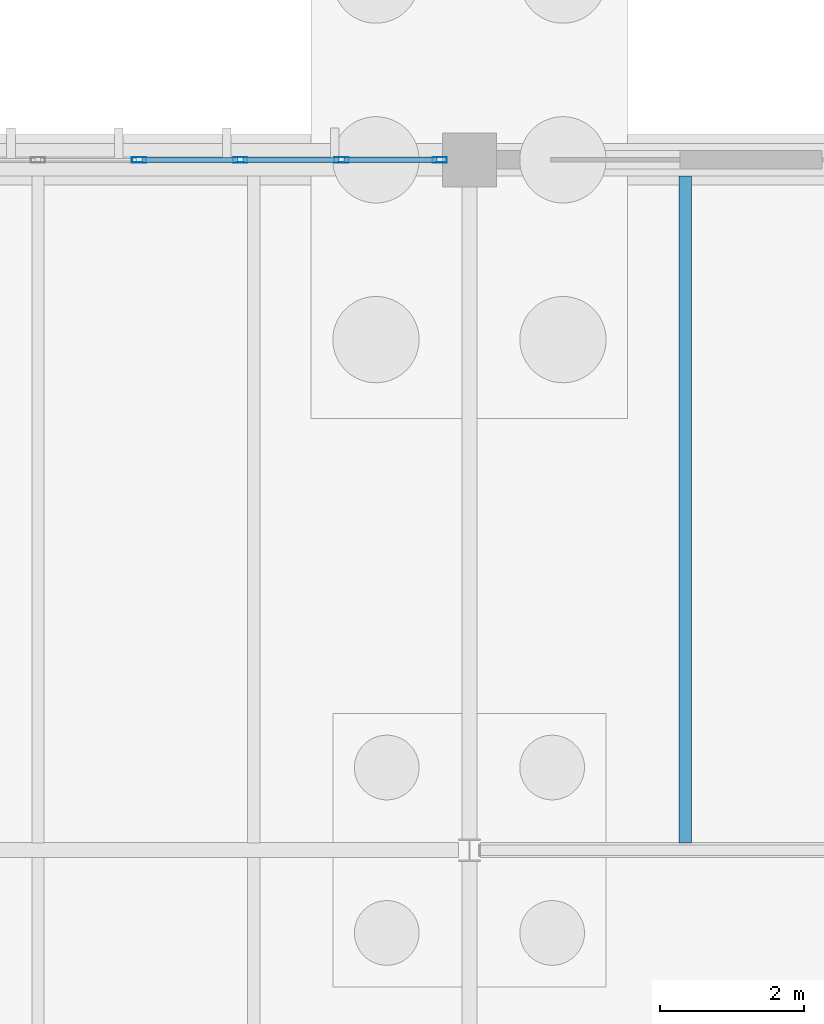
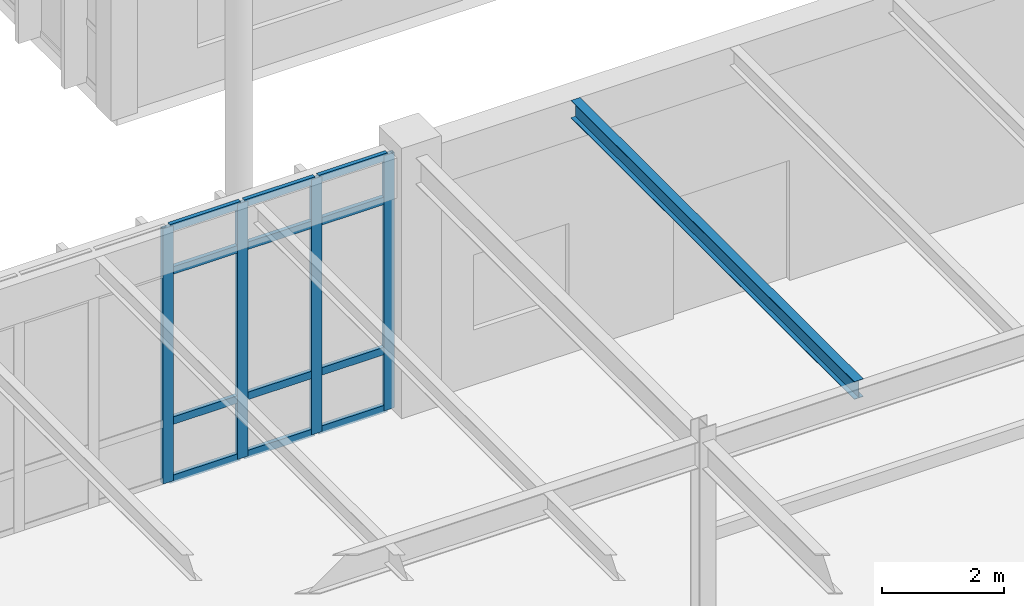
# One storey, part 73 of 188: 16 members, 1 beam, 1 element without a shape of its own.
"""IFC4 building model written with IfcOpenShell, lengths in metres."""

import ifcopenshell
import ifcopenshell.guid

model = None  # the IFC model being written
_history = None  # IfcOwnerHistory: only IFC2X3 demands one
_inside = {}  # id of a spatial element -> (the spatial element, [elements in it])
_under = {}  # id of a project, library or spatial element -> (it, [spatial elements below it])
_declared = {}  # id of a project -> (the project, [libraries it declares])
_typed = {}  # id of a type object -> (the type object, [elements of that type])
_made_of = {}  # id of a material, layer set ... -> (it, [elements and type objects made of it])


def new_model(schema):
    """Start an empty IFC model of exactly this schema.

    Asked for "IFC4X3", IfcOpenShell would pick the latest addendum, in which some entities
    have other attributes; the version numbers below select the first issue.
    IFC2X3 requires an IfcOwnerHistory on every rooted entity: one is made here for all.
    """
    global model, _history
    if schema == "IFC4X3":
        model = ifcopenshell.file(schema_version=(4, 3, 0, 0))
    else:
        model = ifcopenshell.file(schema=schema)
    _inside.clear()
    _under.clear()
    _declared.clear()
    _typed.clear()
    _made_of.clear()
    _history = None
    if model.schema == "IFC2X3":
        org = make("IfcOrganization", Name="unknown")
        user = make(
            "IfcPersonAndOrganization",
            ThePerson=make("IfcPerson", FamilyName="unknown"),
            TheOrganization=org,
        )
        app = make(
            "IfcApplication",
            ApplicationDeveloper=org,
            Version="unknown",
            ApplicationFullName="unknown",
            ApplicationIdentifier="unknown",
        )
        _history = make(
            "IfcOwnerHistory",
            OwningUser=user,
            OwningApplication=app,
            ChangeAction="ADDED",
            CreationDate=0,
        )
    return model


def make(cls, **values):
    """One entity of the class cls with the attributes given. An attribute that is None is left unset."""
    return model.create_entity(
        cls, **{name: value for name, value in values.items() if value is not None}
    )


def rooted(cls, **values):
    """An entity with a GlobalId (a new one), such as an element, a storey or a relation."""
    return make(cls, GlobalId=ifcopenshell.guid.new(), OwnerHistory=_history, **values)


def si_unit(unit_type, name, prefix=None):
    """IfcSIUnit, for example si_unit("LENGTHUNIT", "METRE", prefix="MILLI")."""
    return make("IfcSIUnit", UnitType=unit_type, Prefix=prefix, Name=name)


def assignment(units):
    """IfcUnitAssignment: the units of a project."""
    return None if units is None else make("IfcUnitAssignment", Units=units)


def point(xyz):
    """IfcCartesianPoint."""
    return None if xyz is None else make("IfcCartesianPoint", Coordinates=xyz)


def direction(xyz):
    """IfcDirection."""
    return None if xyz is None else make("IfcDirection", DirectionRatios=xyz)


def frame(location, z_axis=None, x_axis=None):
    """IfcAxis2Placement3D, a coordinate frame: its origin and axes. An axis left out is left unset."""
    return make(
        "IfcAxis2Placement3D",
        Location=point(location),
        Axis=direction(z_axis),
        RefDirection=direction(x_axis),
    )


def frame_2d(location, x_axis=None):
    """IfcAxis2Placement2D, a coordinate frame in the plane: its origin and x axis."""
    return make(
        "IfcAxis2Placement2D", Location=point(location), RefDirection=direction(x_axis)
    )


def origin():
    """The frame at (0, 0, 0) with its axes left unset."""
    return frame((0.0, 0.0, 0.0))


def origin_2d():
    """The frame at (0, 0) in the plane with its x axis left unset."""
    return frame_2d((0.0, 0.0))


def place(relative_to, where):
    """IfcLocalPlacement: puts the frame where relative to a parent placement (None: the world)."""
    return make(
        "IfcLocalPlacement", PlacementRelTo=relative_to, RelativePlacement=where
    )


def context(
    kind, dimensions, precision=None, world=None, true_north=None, identifier=None
):
    """IfcGeometricRepresentationContext, for example the 3D "Model" context."""
    return make(
        "IfcGeometricRepresentationContext",
        ContextIdentifier=identifier,
        ContextType=kind,
        CoordinateSpaceDimension=dimensions,
        Precision=precision,
        WorldCoordinateSystem=world,
        TrueNorth=true_north,
    )


def subcontext(parent, identifier, kind, view, scale=None):
    """IfcGeometricRepresentationSubContext, for example "Body" below "Model"."""
    return make(
        "IfcGeometricRepresentationSubContext",
        ContextIdentifier=identifier,
        ContextType=kind,
        ParentContext=parent,
        TargetScale=scale,
        TargetView=view,
    )


def project(units=None, contexts=None):
    """IfcProject with its units and contexts."""
    return rooted(
        "IfcProject",
        Name="project",
        RepresentationContexts=contexts,
        UnitsInContext=assignment(units),
    )


def spatial(cls, under=None, at=None, **own):
    """A site, building, storey or space (cls), placed at a placement, below another one or the project."""
    s = rooted(cls, ObjectPlacement=at, **own)
    if under is not None:
        _under.setdefault(under.id(), (under, []))[1].append(s)
    return s


def profile(cls, at=None, kind="AREA", **sizes):
    """A parametric profile (cls). Its sizes go by their IFC names, for example OverallWidth=200.0."""
    return make(cls, ProfileType=kind, Position=at, **sizes)


def hollow_rectangle(**sizes):
    """IfcRectangleHollowProfileDef."""
    return profile("IfcRectangleHollowProfileDef", **sizes)


def i_section(**sizes):
    """IfcIShapeProfileDef."""
    return profile("IfcIShapeProfileDef", **sizes)


def extrude(swept, where, along, depth):
    """IfcExtrudedAreaSolid: the profile swept, set in the frame where, extruded along a direction by depth."""
    return make(
        "IfcExtrudedAreaSolid",
        SweptArea=swept,
        Position=where,
        ExtrudedDirection=direction(along),
        Depth=depth,
    )


def shape(context_of_items, identifier, shape_type, items):
    """IfcShapeRepresentation: the items that make up one representation, for example the "Body"."""
    return make(
        "IfcShapeRepresentation",
        ContextOfItems=context_of_items,
        RepresentationIdentifier=identifier,
        RepresentationType=shape_type,
        Items=items,
    )


def material(Name=None, Category=None):
    """IfcMaterial."""
    return make("IfcMaterial", Name=Name, Category=Category)


def layer(
    of_material, thickness, ventilated=None, Name=None, Category=None, Priority=None
):
    """IfcMaterialLayer: one layer of a wall or slab, of a material (None: an air gap)."""
    return make(
        "IfcMaterialLayer",
        Material=of_material,
        LayerThickness=thickness,
        IsVentilated=ventilated,
        Name=Name,
        Category=Category,
        Priority=Priority,
    )


def layer_set(layers, Name=None):
    """IfcMaterialLayerSet."""
    return make("IfcMaterialLayerSet", MaterialLayers=layers, LayerSetName=Name)


def material_profile(
    of_material, cross_section, Name=None, Category=None, Priority=None
):
    """IfcMaterialProfile: a cross section and its material."""
    return make(
        "IfcMaterialProfile",
        Name=Name,
        Material=of_material,
        Profile=cross_section,
        Priority=Priority,
        Category=Category,
    )


def profile_set(profiles, Name=None, composite=None):
    """IfcMaterialProfileSet."""
    return make(
        "IfcMaterialProfileSet",
        Name=Name,
        MaterialProfiles=profiles,
        CompositeProfile=composite,
    )


def made_of(thing, what):
    """Note that an element or type object is made of a material, layer set ...; save() writes the relation."""
    if what is not None:
        _made_of.setdefault(what.id(), (what, []))[1].append(thing)
    return thing


def type_object(cls, material=None, **own):
    """A type object (cls), such as IfcWallType, which elements share."""
    return made_of(rooted(cls, **own), material)


def element(
    cls,
    number,
    at=None,
    inside=None,
    cuts=None,
    type_object=None,
    material=None,
    context=None,
    identifier="Body",
    shape_type=None,
    held_by="IfcProductDefinitionShape",
    body=None,
    shapes=None,
    **own,
):
    """One element of the class cls, such as IfcWall. Its Tag is "e" and its number.

    at: its placement. inside: the storey or other place that contains it. cuts: it is an
    opening in that element (IfcRelVoidsElement). A single representation is given by context,
    identifier, shape_type and body (its items); several are given by shapes. held_by: the class
    of the entity that holds the representations. save() writes the other relations.
    """
    e = rooted(cls, Tag="e%d" % number, ObjectPlacement=at, **own)
    if body is not None:
        shapes = [shape(context, identifier, shape_type, body)]
    if shapes is not None:
        e.Representation = make(held_by, Representations=shapes)
    if inside is not None:
        _inside.setdefault(inside.id(), (inside, []))[1].append(e)
    if cuts is not None:
        rooted(
            "IfcRelVoidsElement", RelatingBuildingElement=cuts, RelatedOpeningElement=e
        )
    if type_object is not None:
        _typed.setdefault(type_object.id(), (type_object, []))[1].append(e)
    return made_of(e, material)


def aggregate(whole, parts):
    """IfcRelAggregates: a whole, such as a stair, and the parts it consists of."""
    return rooted("IfcRelAggregates", RelatingObject=whole, RelatedObjects=parts)


def save(model, path):
    """Write the relations noted so far, then the file.

    IfcRelAggregates (storeys below a building ...), IfcRelContainedInSpatialStructure (elements
    in a storey), IfcRelDefinesByType, IfcRelAssociatesMaterial and IfcRelDeclares: one each for
    every whole, place, type object, material and project.
    """
    for whole, parts in _under.values():
        aggregate(whole, parts)
    for where, things in _inside.values():
        rooted(
            "IfcRelContainedInSpatialStructure",
            RelatedElements=things,
            RelatingStructure=where,
        )
    for kind, things in _typed.values():
        rooted("IfcRelDefinesByType", RelatedObjects=things, RelatingType=kind)
    for what, things in _made_of.values():
        rooted("IfcRelAssociatesMaterial", RelatedObjects=things, RelatingMaterial=what)
    for by, libraries in _declared.values():
        rooted("IfcRelDeclares", RelatingContext=by, RelatedDefinitions=libraries)
    model.write(path)


model = new_model("IFC4")

# Units and contexts
model_context = context("Model", 3, precision=1e-05, world=origin(), true_north=direction((0.0, 1.0)))
body_context = subcontext(model_context, "Body", "Model", "MODEL_VIEW")
ifc_project = project(units=[si_unit("LENGTHUNIT", "METRE"), si_unit("AREAUNIT", "SQUARE_METRE"), si_unit("VOLUMEUNIT", "CUBIC_METRE"), si_unit("PLANEANGLEUNIT", "RADIAN"), si_unit("MASSUNIT", "GRAM", prefix="KILO")], contexts=[model_context])

# Site, building, storey
site_placement = place(None, origin())
site = spatial("IfcSite", under=ifc_project, at=site_placement, CompositionType="ELEMENT")
building_placement = place(site_placement, origin())
building = spatial("IfcBuilding", under=site, at=building_placement, Name="Pandanus Reach Market Hall", CompositionType="ELEMENT")
storey_placement = place(building_placement, origin())
storey = spatial("IfcBuildingStorey", under=building, at=storey_placement, Name="L00", CompositionType="ELEMENT", Elevation=0.0)

# Curtain wall, members
ifc_material_1 = material(Name="Bronze anodised aluminium and low-E glass", Category="aluminium")
ifc_layer = layer(ifc_material_1, 0.199951171875, Name="CW-01")
ifc_layer_set = layer_set([ifc_layer], Name="Bronze anodised aluminium and low-E glass")
curtain_wall_type = type_object("IfcCurtainWallType", Name="CW-01", PredefinedType="NOTDEFINED", material=ifc_layer_set)
curtain_wall_placement = place(storey_placement, origin())
curtain_wall = element("IfcCurtainWall", 1, at=curtain_wall_placement, inside=storey, type_object=curtain_wall_type, Name="Glazed curtain wall CW-01 CW-0009", PredefinedType="NOTDEFINED")
ifc_material_2 = material(Name="Bronze anodised aluminium", Category="aluminium")
ifc_material_profile_1 = material_profile(ifc_material_2, hollow_rectangle(XDim=0.074951171875, YDim=0.199951171875, WallThickness=0.00439453125, at=origin_2d()), Name="ALU75x200", Category="LoadBearing")
ifc_profile_set_1 = profile_set([ifc_material_profile_1], Name="Bronze anodised aluminium")
member_type_1 = type_object("IfcMemberType", Name="CW-M2", PredefinedType="MULLION", material=ifc_profile_set_1)
member_1_placement = place(storey_placement, frame((55.40625, 86.39990234375, 0.0), z_axis=(0.0, 0.0, 1.0), x_axis=(0.0, 1.0, 0.0)))
member_1 = element("IfcMember", 2, at=member_1_placement, type_object=member_type_1, Name="CW-01 mullion 6", PredefinedType="MULLION", context=body_context, shape_type="SweptSolid", body=[
    extrude(hollow_rectangle(XDim=0.074951171875, YDim=0.199951171875, WallThickness=0.00439453125, at=origin_2d()), origin(), (0.0, 0.0, 1.0), 5.10009765625),
])
member_2_placement = place(storey_placement, frame((56.8125, 86.39990234375, 0.0), z_axis=(0.0, 0.0, 1.0), x_axis=(0.0, 1.0, 0.0)))
member_2 = element("IfcMember", 3, at=member_2_placement, type_object=member_type_1, Name="CW-01 mullion 7", PredefinedType="MULLION", context=body_context, shape_type="SweptSolid", body=[
    extrude(hollow_rectangle(XDim=0.074951171875, YDim=0.199951171875, WallThickness=0.00439453125, at=origin_2d()), origin(), (0.0, 0.0, 1.0), 5.10009765625),
])
member_3_placement = place(storey_placement, frame((58.21875, 86.39990234375, 0.0), z_axis=(0.0, 0.0, 1.0), x_axis=(0.0, 1.0, 0.0)))
member_3 = element("IfcMember", 4, at=member_3_placement, type_object=member_type_1, Name="CW-01 mullion 8", PredefinedType="MULLION", context=body_context, shape_type="SweptSolid", body=[
    extrude(hollow_rectangle(XDim=0.074951171875, YDim=0.199951171875, WallThickness=0.00439453125, at=origin_2d()), origin(), (0.0, 0.0, 1.0), 5.10009765625),
])
member_4_placement = place(storey_placement, frame((59.58740234375, 86.39990234375, 0.0), z_axis=(0.0, 0.0, 1.0), x_axis=(0.0, 1.0, 0.0)))
member_4 = element("IfcMember", 5, at=member_4_placement, type_object=member_type_1, Name="CW-01 mullion 9", PredefinedType="MULLION", context=body_context, shape_type="SweptSolid", body=[
    extrude(hollow_rectangle(XDim=0.074951171875, YDim=0.199951171875, WallThickness=0.00439453125, at=origin_2d()), origin(), (0.0, 0.0, 1.0), 5.10009765625),
])
ifc_material_profile_2 = material_profile(ifc_material_2, hollow_rectangle(XDim=0.074951171875, YDim=0.14990234375, WallThickness=0.00439453125, at=origin_2d()), Name="ALU75x150", Category="LoadBearing")
ifc_profile_set_2 = profile_set([ifc_material_profile_2], Name="Bronze anodised aluminium")
member_type_2 = type_object("IfcMemberType", Name="CW-T2", PredefinedType="USERDEFINED", material=ifc_profile_set_2)
member_5_placement = place(storey_placement, frame((55.44384765625, 86.39990234375, 0.03759765625), z_axis=(1.0, 0.0, 0.0), x_axis=(0.0, 1.0, 0.0)))
member_5 = element("IfcMember", 6, at=member_5_placement, type_object=member_type_2, Name="CW-01 transom 6.1", ObjectType="TRANSOM", PredefinedType="USERDEFINED", context=body_context, shape_type="SweptSolid", body=[
    extrude(hollow_rectangle(XDim=0.074951171875, YDim=0.14990234375, WallThickness=0.00439453125, at=origin_2d()), origin(), (0.0, 0.0, 1.0), 1.3310546875),
])
member_6_placement = place(storey_placement, frame((55.44384765625, 86.39990234375, 1.199951171875), z_axis=(1.0, 0.0, 0.0), x_axis=(0.0, 1.0, 0.0)))
member_6 = element("IfcMember", 7, at=member_6_placement, type_object=member_type_2, Name="CW-01 transom 6.2", ObjectType="TRANSOM", PredefinedType="USERDEFINED", context=body_context, shape_type="SweptSolid", body=[
    extrude(hollow_rectangle(XDim=0.074951171875, YDim=0.14990234375, WallThickness=0.00439453125, at=origin_2d()), origin(), (0.0, 0.0, 1.0), 1.3310546875),
])
member_7_placement = place(storey_placement, frame((55.44384765625, 86.39990234375, 4.199951171875), z_axis=(1.0, 0.0, 0.0), x_axis=(0.0, 1.0, 0.0)))
member_7 = element("IfcMember", 8, at=member_7_placement, type_object=member_type_2, Name="CW-01 transom 6.3", ObjectType="TRANSOM", PredefinedType="USERDEFINED", context=body_context, shape_type="SweptSolid", body=[
    extrude(hollow_rectangle(XDim=0.074951171875, YDim=0.14990234375, WallThickness=0.00439453125, at=origin_2d()), origin(), (0.0, 0.0, 1.0), 1.3310546875),
])
member_8_placement = place(storey_placement, frame((55.44384765625, 86.39990234375, 5.0625), z_axis=(1.0, 0.0, 0.0), x_axis=(0.0, 1.0, 0.0)))
member_8 = element("IfcMember", 9, at=member_8_placement, type_object=member_type_2, Name="CW-01 transom 6.4", ObjectType="TRANSOM", PredefinedType="USERDEFINED", context=body_context, shape_type="SweptSolid", body=[
    extrude(hollow_rectangle(XDim=0.074951171875, YDim=0.14990234375, WallThickness=0.00439453125, at=origin_2d()), origin(), (0.0, 0.0, 1.0), 1.3310546875),
])
member_9_placement = place(storey_placement, frame((56.85009765625, 86.39990234375, 0.03759765625), z_axis=(1.0, 0.0, 0.0), x_axis=(0.0, 1.0, 0.0)))
member_9 = element("IfcMember", 10, at=member_9_placement, type_object=member_type_2, Name="CW-01 transom 7.1", ObjectType="TRANSOM", PredefinedType="USERDEFINED", context=body_context, shape_type="SweptSolid", body=[
    extrude(hollow_rectangle(XDim=0.074951171875, YDim=0.14990234375, WallThickness=0.00439453125, at=origin_2d()), origin(), (0.0, 0.0, 1.0), 1.3310546875),
])
member_10_placement = place(storey_placement, frame((56.85009765625, 86.39990234375, 1.199951171875), z_axis=(1.0, 0.0, 0.0), x_axis=(0.0, 1.0, 0.0)))
member_10 = element("IfcMember", 11, at=member_10_placement, type_object=member_type_2, Name="CW-01 transom 7.2", ObjectType="TRANSOM", PredefinedType="USERDEFINED", context=body_context, shape_type="SweptSolid", body=[
    extrude(hollow_rectangle(XDim=0.074951171875, YDim=0.14990234375, WallThickness=0.00439453125, at=origin_2d()), origin(), (0.0, 0.0, 1.0), 1.3310546875),
])
member_11_placement = place(storey_placement, frame((56.85009765625, 86.39990234375, 4.199951171875), z_axis=(1.0, 0.0, 0.0), x_axis=(0.0, 1.0, 0.0)))
member_11 = element("IfcMember", 12, at=member_11_placement, type_object=member_type_2, Name="CW-01 transom 7.3", ObjectType="TRANSOM", PredefinedType="USERDEFINED", context=body_context, shape_type="SweptSolid", body=[
    extrude(hollow_rectangle(XDim=0.074951171875, YDim=0.14990234375, WallThickness=0.00439453125, at=origin_2d()), origin(), (0.0, 0.0, 1.0), 1.3310546875),
])
member_12_placement = place(storey_placement, frame((56.85009765625, 86.39990234375, 5.0625), z_axis=(1.0, 0.0, 0.0), x_axis=(0.0, 1.0, 0.0)))
member_12 = element("IfcMember", 13, at=member_12_placement, type_object=member_type_2, Name="CW-01 transom 7.4", ObjectType="TRANSOM", PredefinedType="USERDEFINED", context=body_context, shape_type="SweptSolid", body=[
    extrude(hollow_rectangle(XDim=0.074951171875, YDim=0.14990234375, WallThickness=0.00439453125, at=origin_2d()), origin(), (0.0, 0.0, 1.0), 1.3310546875),
])
member_13_placement = place(storey_placement, frame((58.25634765625, 86.39990234375, 0.03759765625), z_axis=(1.0, 0.0, 0.0), x_axis=(0.0, 1.0, 0.0)))
member_13 = element("IfcMember", 14, at=member_13_placement, type_object=member_type_2, Name="CW-01 transom 8.1", ObjectType="TRANSOM", PredefinedType="USERDEFINED", context=body_context, shape_type="SweptSolid", body=[
    extrude(hollow_rectangle(XDim=0.074951171875, YDim=0.14990234375, WallThickness=0.00439453125, at=origin_2d()), origin(), (0.0, 0.0, 1.0), 1.293701171875),
])
member_14_placement = place(storey_placement, frame((58.25634765625, 86.39990234375, 1.199951171875), z_axis=(1.0, 0.0, 0.0), x_axis=(0.0, 1.0, 0.0)))
member_14 = element("IfcMember", 15, at=member_14_placement, type_object=member_type_2, Name="CW-01 transom 8.2", ObjectType="TRANSOM", PredefinedType="USERDEFINED", context=body_context, shape_type="SweptSolid", body=[
    extrude(hollow_rectangle(XDim=0.074951171875, YDim=0.14990234375, WallThickness=0.00439453125, at=origin_2d()), origin(), (0.0, 0.0, 1.0), 1.293701171875),
])
member_15_placement = place(storey_placement, frame((58.25634765625, 86.39990234375, 4.199951171875), z_axis=(1.0, 0.0, 0.0), x_axis=(0.0, 1.0, 0.0)))
member_15 = element("IfcMember", 16, at=member_15_placement, type_object=member_type_2, Name="CW-01 transom 8.3", ObjectType="TRANSOM", PredefinedType="USERDEFINED", context=body_context, shape_type="SweptSolid", body=[
    extrude(hollow_rectangle(XDim=0.074951171875, YDim=0.14990234375, WallThickness=0.00439453125, at=origin_2d()), origin(), (0.0, 0.0, 1.0), 1.293701171875),
])
member_16_placement = place(storey_placement, frame((58.25634765625, 86.39990234375, 5.0625), z_axis=(1.0, 0.0, 0.0), x_axis=(0.0, 1.0, 0.0)))
member_16 = element("IfcMember", 17, at=member_16_placement, type_object=member_type_2, Name="CW-01 transom 8.4", ObjectType="TRANSOM", PredefinedType="USERDEFINED", context=body_context, shape_type="SweptSolid", body=[
    extrude(hollow_rectangle(XDim=0.074951171875, YDim=0.14990234375, WallThickness=0.00439453125, at=origin_2d()), origin(), (0.0, 0.0, 1.0), 1.293701171875),
])
aggregate(curtain_wall, [member_1, member_2, member_3, member_4, member_5, member_6, member_7, member_8, member_9, member_10, member_11, member_12, member_13, member_14, member_15, member_16])

# Beam
ifc_material_3 = material(Name="Steel Grade 350 (350 MPa)", Category="steel")
ifc_material_profile_3 = material_profile(ifc_material_3, i_section(OverallWidth=0.1708984375, OverallDepth=0.35595703125, WebThickness=0.00732421875, FlangeThickness=0.011474609375, at=origin_2d()), Name="360UB50.7", Category="LoadBearing")
ifc_profile_set_3 = profile_set([ifc_material_profile_3], Name="Steel Grade 350 (350 MPa)")
beam_type = type_object("IfcBeamType", Name="JS-UB360-I", PredefinedType="JOIST", material=ifc_profile_set_3)
beam_placement = place(storey_placement, frame((63.0, 76.902587890625, 4.941650390625), z_axis=(0.0, 1.0, 0.0), x_axis=(-1.0, 0.0, 0.0)))
element("IfcBeam", 18, at=beam_placement, inside=storey, type_object=beam_type, Name="Secondary joist JS-UB360-I L00.1111", PredefinedType="JOIST", context=body_context, shape_type="SweptSolid", body=[
    extrude(i_section(OverallWidth=0.1708984375, OverallDepth=0.35595703125, WebThickness=0.00732421875, FlangeThickness=0.011474609375, at=origin_2d()), origin(), (0.0, 0.0, 1.0), 9.2744140625),
])

save(model, "model.ifc")
